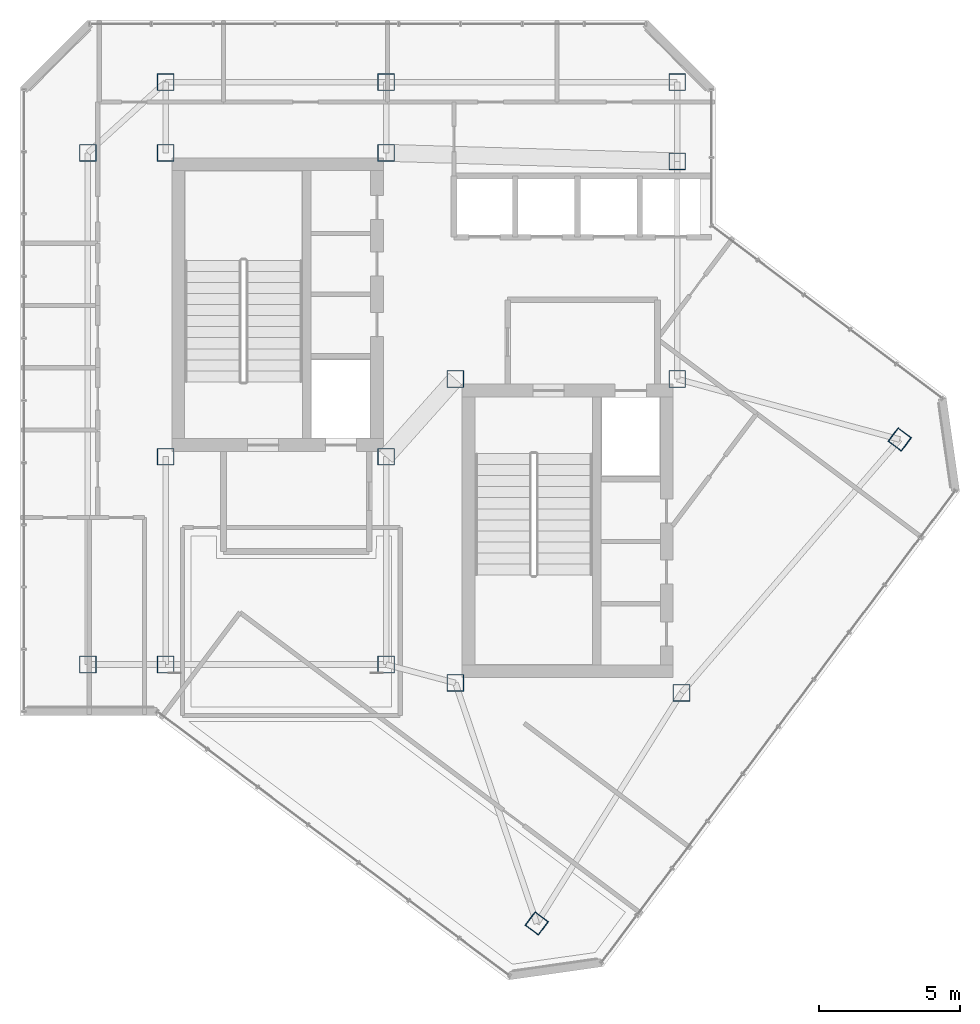
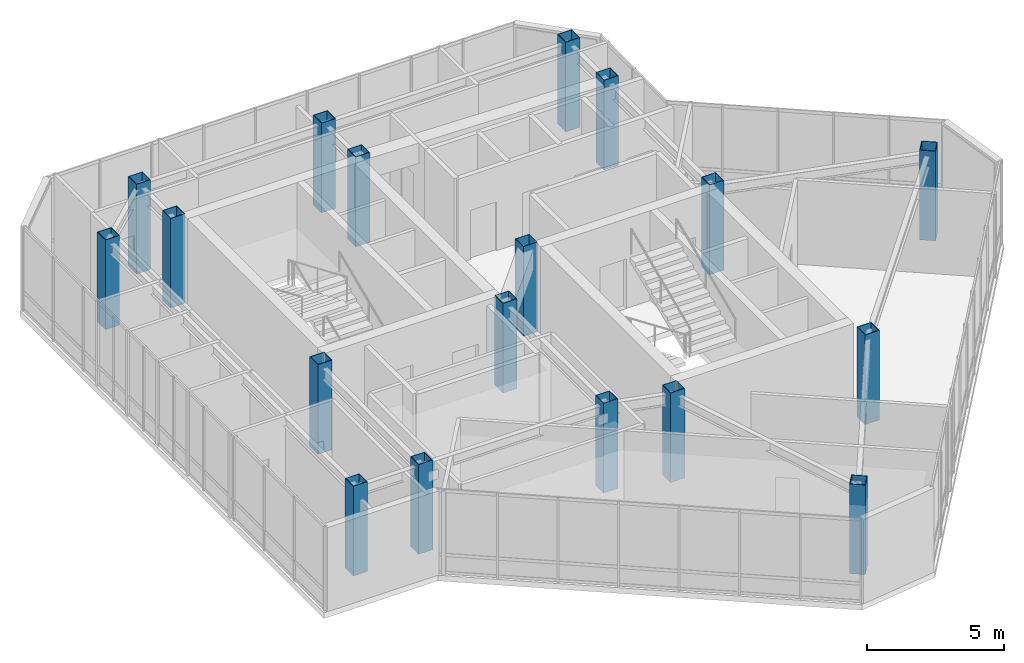
# One storey, part 1 of 30: 18 columns.
"""IFC4 building model written with IfcOpenShell, lengths in metres."""

import ifcopenshell
import ifcopenshell.guid

model = None  # the IFC model being written
_history = None  # IfcOwnerHistory: only IFC2X3 demands one
_inside = {}  # id of a spatial element -> (the spatial element, [elements in it])
_under = {}  # id of a project, library or spatial element -> (it, [spatial elements below it])
_declared = {}  # id of a project -> (the project, [libraries it declares])
_typed = {}  # id of a type object -> (the type object, [elements of that type])
_made_of = {}  # id of a material, layer set ... -> (it, [elements and type objects made of it])


def new_model(schema):
    """Start an empty IFC model of exactly this schema.

    Asked for "IFC4X3", IfcOpenShell would pick the latest addendum, in which some entities
    have other attributes; the version numbers below select the first issue.
    IFC2X3 requires an IfcOwnerHistory on every rooted entity: one is made here for all.
    """
    global model, _history
    if schema == "IFC4X3":
        model = ifcopenshell.file(schema_version=(4, 3, 0, 0))
    else:
        model = ifcopenshell.file(schema=schema)
    _inside.clear()
    _under.clear()
    _declared.clear()
    _typed.clear()
    _made_of.clear()
    _history = None
    if model.schema == "IFC2X3":
        org = make("IfcOrganization", Name="unknown")
        user = make(
            "IfcPersonAndOrganization",
            ThePerson=make("IfcPerson", FamilyName="unknown"),
            TheOrganization=org,
        )
        app = make(
            "IfcApplication",
            ApplicationDeveloper=org,
            Version="unknown",
            ApplicationFullName="unknown",
            ApplicationIdentifier="unknown",
        )
        _history = make(
            "IfcOwnerHistory",
            OwningUser=user,
            OwningApplication=app,
            ChangeAction="ADDED",
            CreationDate=0,
        )
    return model


def make(cls, **values):
    """One entity of the class cls with the attributes given. An attribute that is None is left unset."""
    return model.create_entity(
        cls, **{name: value for name, value in values.items() if value is not None}
    )


def rooted(cls, **values):
    """An entity with a GlobalId (a new one), such as an element, a storey or a relation."""
    return make(cls, GlobalId=ifcopenshell.guid.new(), OwnerHistory=_history, **values)


def si_unit(unit_type, name, prefix=None):
    """IfcSIUnit, for example si_unit("LENGTHUNIT", "METRE", prefix="MILLI")."""
    return make("IfcSIUnit", UnitType=unit_type, Prefix=prefix, Name=name)


def assignment(units):
    """IfcUnitAssignment: the units of a project."""
    return None if units is None else make("IfcUnitAssignment", Units=units)


def point(xyz):
    """IfcCartesianPoint."""
    return None if xyz is None else make("IfcCartesianPoint", Coordinates=xyz)


def direction(xyz):
    """IfcDirection."""
    return None if xyz is None else make("IfcDirection", DirectionRatios=xyz)


def frame(location, z_axis=None, x_axis=None):
    """IfcAxis2Placement3D, a coordinate frame: its origin and axes. An axis left out is left unset."""
    return make(
        "IfcAxis2Placement3D",
        Location=point(location),
        Axis=direction(z_axis),
        RefDirection=direction(x_axis),
    )


def frame_2d(location, x_axis=None):
    """IfcAxis2Placement2D, a coordinate frame in the plane: its origin and x axis."""
    return make(
        "IfcAxis2Placement2D", Location=point(location), RefDirection=direction(x_axis)
    )


def origin():
    """The frame at (0, 0, 0) with its axes left unset."""
    return frame((0.0, 0.0, 0.0))


def origin_2d():
    """The frame at (0, 0) in the plane with its x axis left unset."""
    return frame_2d((0.0, 0.0))


def place(relative_to, where):
    """IfcLocalPlacement: puts the frame where relative to a parent placement (None: the world)."""
    return make(
        "IfcLocalPlacement", PlacementRelTo=relative_to, RelativePlacement=where
    )


def context(
    kind, dimensions, precision=None, world=None, true_north=None, identifier=None
):
    """IfcGeometricRepresentationContext, for example the 3D "Model" context."""
    return make(
        "IfcGeometricRepresentationContext",
        ContextIdentifier=identifier,
        ContextType=kind,
        CoordinateSpaceDimension=dimensions,
        Precision=precision,
        WorldCoordinateSystem=world,
        TrueNorth=true_north,
    )


def subcontext(parent, identifier, kind, view, scale=None):
    """IfcGeometricRepresentationSubContext, for example "Body" below "Model"."""
    return make(
        "IfcGeometricRepresentationSubContext",
        ContextIdentifier=identifier,
        ContextType=kind,
        ParentContext=parent,
        TargetScale=scale,
        TargetView=view,
    )


def project(units=None, contexts=None):
    """IfcProject with its units and contexts."""
    return rooted(
        "IfcProject",
        Name="project",
        RepresentationContexts=contexts,
        UnitsInContext=assignment(units),
    )


def spatial(cls, under=None, at=None, **own):
    """A site, building, storey or space (cls), placed at a placement, below another one or the project."""
    s = rooted(cls, ObjectPlacement=at, **own)
    if under is not None:
        _under.setdefault(under.id(), (under, []))[1].append(s)
    return s


def profile(cls, at=None, kind="AREA", **sizes):
    """A parametric profile (cls). Its sizes go by their IFC names, for example OverallWidth=200.0."""
    return make(cls, ProfileType=kind, Position=at, **sizes)


def hollow_rectangle(**sizes):
    """IfcRectangleHollowProfileDef."""
    return profile("IfcRectangleHollowProfileDef", **sizes)


def extrude(swept, where, along, depth):
    """IfcExtrudedAreaSolid: the profile swept, set in the frame where, extruded along a direction by depth."""
    return make(
        "IfcExtrudedAreaSolid",
        SweptArea=swept,
        Position=where,
        ExtrudedDirection=direction(along),
        Depth=depth,
    )


def shape(context_of_items, identifier, shape_type, items):
    """IfcShapeRepresentation: the items that make up one representation, for example the "Body"."""
    return make(
        "IfcShapeRepresentation",
        ContextOfItems=context_of_items,
        RepresentationIdentifier=identifier,
        RepresentationType=shape_type,
        Items=items,
    )


def material(Name=None, Category=None):
    """IfcMaterial."""
    return make("IfcMaterial", Name=Name, Category=Category)


def material_profile(
    of_material, cross_section, Name=None, Category=None, Priority=None
):
    """IfcMaterialProfile: a cross section and its material."""
    return make(
        "IfcMaterialProfile",
        Name=Name,
        Material=of_material,
        Profile=cross_section,
        Priority=Priority,
        Category=Category,
    )


def profile_set(profiles, Name=None, composite=None):
    """IfcMaterialProfileSet."""
    return make(
        "IfcMaterialProfileSet",
        Name=Name,
        MaterialProfiles=profiles,
        CompositeProfile=composite,
    )


def made_of(thing, what):
    """Note that an element or type object is made of a material, layer set ...; save() writes the relation."""
    if what is not None:
        _made_of.setdefault(what.id(), (what, []))[1].append(thing)
    return thing


def type_object(cls, material=None, **own):
    """A type object (cls), such as IfcWallType, which elements share."""
    return made_of(rooted(cls, **own), material)


def element(
    cls,
    number,
    at=None,
    inside=None,
    cuts=None,
    type_object=None,
    material=None,
    context=None,
    identifier="Body",
    shape_type=None,
    held_by="IfcProductDefinitionShape",
    body=None,
    shapes=None,
    **own,
):
    """One element of the class cls, such as IfcWall. Its Tag is "e" and its number.

    at: its placement. inside: the storey or other place that contains it. cuts: it is an
    opening in that element (IfcRelVoidsElement). A single representation is given by context,
    identifier, shape_type and body (its items); several are given by shapes. held_by: the class
    of the entity that holds the representations. save() writes the other relations.
    """
    e = rooted(cls, Tag="e%d" % number, ObjectPlacement=at, **own)
    if body is not None:
        shapes = [shape(context, identifier, shape_type, body)]
    if shapes is not None:
        e.Representation = make(held_by, Representations=shapes)
    if inside is not None:
        _inside.setdefault(inside.id(), (inside, []))[1].append(e)
    if cuts is not None:
        rooted(
            "IfcRelVoidsElement", RelatingBuildingElement=cuts, RelatedOpeningElement=e
        )
    if type_object is not None:
        _typed.setdefault(type_object.id(), (type_object, []))[1].append(e)
    return made_of(e, material)


def aggregate(whole, parts):
    """IfcRelAggregates: a whole, such as a stair, and the parts it consists of."""
    return rooted("IfcRelAggregates", RelatingObject=whole, RelatedObjects=parts)


def save(model, path):
    """Write the relations noted so far, then the file.

    IfcRelAggregates (storeys below a building ...), IfcRelContainedInSpatialStructure (elements
    in a storey), IfcRelDefinesByType, IfcRelAssociatesMaterial and IfcRelDeclares: one each for
    every whole, place, type object, material and project.
    """
    for whole, parts in _under.values():
        aggregate(whole, parts)
    for where, things in _inside.values():
        rooted(
            "IfcRelContainedInSpatialStructure",
            RelatedElements=things,
            RelatingStructure=where,
        )
    for kind, things in _typed.values():
        rooted("IfcRelDefinesByType", RelatedObjects=things, RelatingType=kind)
    for what, things in _made_of.values():
        rooted("IfcRelAssociatesMaterial", RelatedObjects=things, RelatingMaterial=what)
    for by, libraries in _declared.values():
        rooted("IfcRelDeclares", RelatingContext=by, RelatedDefinitions=libraries)
    model.write(path)


model = new_model("IFC4")

# Units and contexts
model_context = context("Model", 3, precision=1e-05, world=origin(), true_north=direction((0.0, 1.0)))
body_context = subcontext(model_context, "Body", "Model", "MODEL_VIEW")
ifc_project = project(units=[si_unit("LENGTHUNIT", "METRE"), si_unit("AREAUNIT", "SQUARE_METRE"), si_unit("VOLUMEUNIT", "CUBIC_METRE"), si_unit("PLANEANGLEUNIT", "RADIAN"), si_unit("MASSUNIT", "GRAM", prefix="KILO")], contexts=[model_context])

# Site, building, storey
site_placement = place(None, origin())
site = spatial("IfcSite", under=ifc_project, at=site_placement, CompositionType="ELEMENT")
building_placement = place(site_placement, origin())
building = spatial("IfcBuilding", under=site, at=building_placement, Name="Hatsunagi Terrace Concourse", CompositionType="ELEMENT")
storey_placement = place(building_placement, frame((0.0, 0.0, 273.949951171875)))
storey = spatial("IfcBuildingStorey", under=building, at=storey_placement, Name="L72", CompositionType="ELEMENT", Elevation=273.949951171875)

# Columns
ifc_material = material(Name="Steel BCP325T", Category="steel")
ifc_material_profile = material_profile(ifc_material, hollow_rectangle(XDim=0.60009765625, YDim=0.60009765625, WallThickness=0.02490234375, at=origin_2d()), Name="BCP-600x600x25")
ifc_profile_set = profile_set([ifc_material_profile], Name="Steel BCP325T")
column_type = type_object("IfcColumnType", Name="CrownBoxColumn_600x600x25", PredefinedType="COLUMN", material=ifc_profile_set)
for number, where, z_axis, x_axis, name in (
    (1, (25.550048828125, 32.550048828125, 0.0), (0.0, 0.0, 1.0), (1.0, 0.0, 0.0), "Column C-10 L72-CASW"),
    (2, (33.35009765625, 32.550048828125, 0.0), (0.0, 0.0, 1.0), (1.0, 0.0, 0.0), "Column C-10 L72-CASE"),
    (3, (25.550048828125, 43.300048828125, 0.0), (0.0, 0.0, 1.0), (1.0, 0.0, 0.0), "Column C-10 L72-CANW"),
    (4, (33.35009765625, 43.300048828125, 0.0), (0.0, 0.0, 1.0), (1.0, 0.0, 0.0), "Column C-10 L72-CANE"),
    (5, (35.800048828125, 24.550048828125, 0.0), (0.0, 0.0, 1.0), (1.0, 0.0, 0.0), "Column C-10 L72-CBSW"),
    (6, (43.800048828125, 24.199951171875, 0.0), (0.0, 0.0, 1.0), (1.0, 0.0, 0.0), "Column C-10 L72-CBSE"),
    (7, (35.800048828125, 35.300048828125, 0.0), (0.0, 0.0, 1.0), (1.0, 0.0, 0.0), "Column C-10 L72-CBNW"),
    (8, (43.64990234375, 35.300048828125, 0.0), (0.0, 0.0, 1.0), (1.0, 0.0, 0.0), "Column C-10 L72-CBNE"),
    (9, (25.550048828125, 25.199951171875, 0.0), (0.0, 0.0, 1.0), (1.0, 0.0, 0.0), "Column C-10 L72-K1"),
    (10, (33.35009765625, 25.199951171875, 0.0), (0.0, 0.0, 1.0), (1.0, 0.0, 0.0), "Column C-10 L72-K2"),
    (11, (43.64990234375, 43.0, 0.0), (0.0, 0.0, 1.0), (1.0, 0.0, 0.0), "Column C-10 L72-K3"),
    (12, (25.550048828125, 45.800048828125, 0.0), (0.0, 0.0, 1.0), (1.0, 0.0, 0.0), "Column C-10 L72-CN1"),
    (13, (33.35009765625, 45.800048828125, 0.0), (0.0, 0.0, 1.0), (1.0, 0.0, 0.0), "Column C-10 L72-CN2"),
    (14, (43.64990234375, 45.800048828125, 0.0), (0.0, 0.0, 1.0), (1.0, 0.0, 0.0), "Column C-10 L72-CN3"),
    (15, (22.800048828125, 25.199951171875, 0.0), (0.0, 0.0, 1.0), (1.0, 0.0, 0.0), "Column C-10 L72-CW1"),
    (16, (22.800048828125, 43.300048828125, 0.0), (0.0, 0.0, 1.0), (1.0, 0.0, 0.0), "Column C-10 L72-CW2"),
    (17, (38.679931640625, 16.0400390625, 0.0), (0.0, 0.0, 1.0), (0.799999996291, -0.600000004945, 0.0), "Column C-10 L72-SES1"),
    (18, (51.52001953125, 33.159912109375, 0.0), (0.0, 0.0, 1.0), (0.799999996291, -0.600000004945, 0.0), "Column C-10 L72-SEN1"),
):
    element("IfcColumn", number, at=place(storey_placement, frame(where, z_axis=z_axis, x_axis=x_axis)), inside=storey, type_object=column_type, Name=name, PredefinedType="COLUMN", context=body_context, shape_type="SweptSolid", body=[
        extrude(hollow_rectangle(XDim=0.60009765625, YDim=0.60009765625, WallThickness=0.02490234375, at=origin_2d()), origin(), (0.0, 0.0, 1.0), 4.0),
    ])

save(model, "model.ifc")
